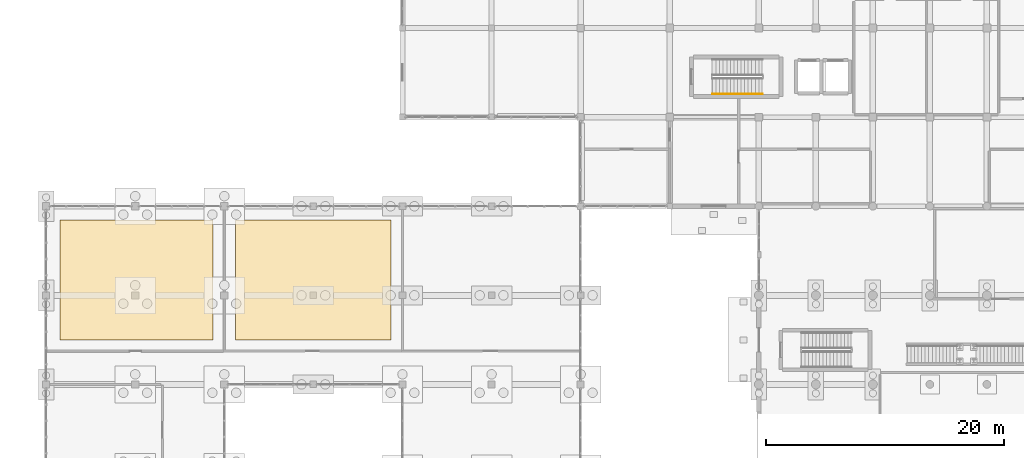
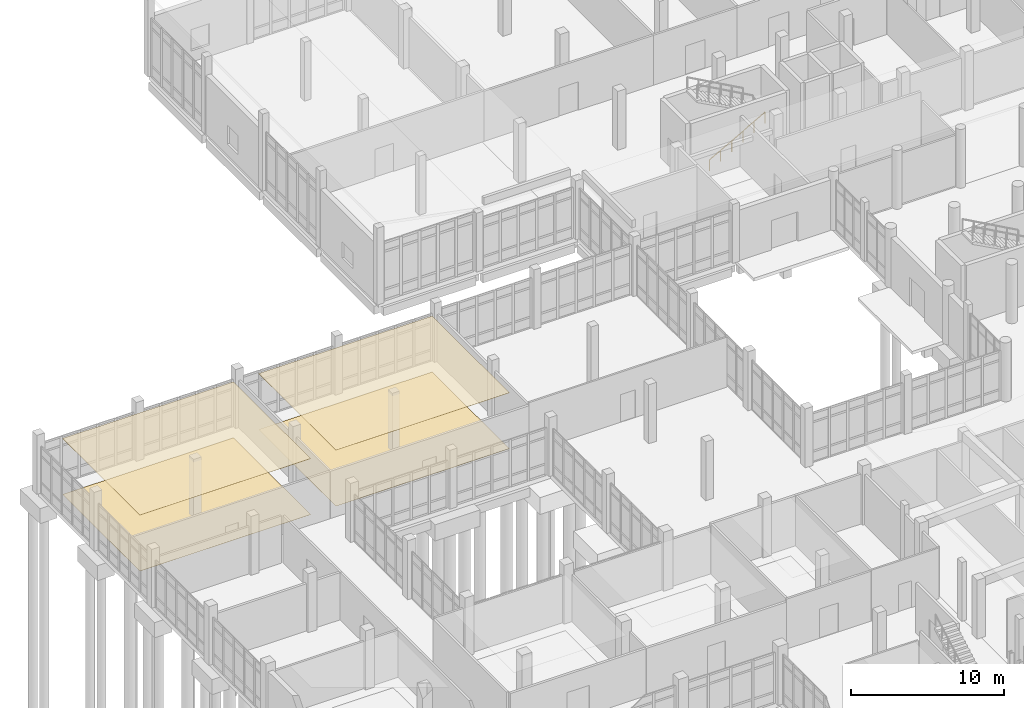
# One storey, part 168 of 173: 4 coverings, 1 railing.
"""IFC4 building model written with IfcOpenShell, lengths in metres."""

from ifc_helpers import new_model, si_unit, direction, frame, origin, origin_2d, place, context, subcontext, project, spatial, polyline, circle, outline, extrude, material, layer, layer_set, type_object, element, save


model = new_model("IFC4")

# Units and contexts
model_context = context("Model", 3, precision=1e-05, world=origin(), true_north=direction((0.0, 1.0)))
body_context = subcontext(model_context, "Body", "Model", "MODEL_VIEW")
ifc_project = project(units=[si_unit("LENGTHUNIT", "METRE"), si_unit("AREAUNIT", "SQUARE_METRE"), si_unit("VOLUMEUNIT", "CUBIC_METRE"), si_unit("PLANEANGLEUNIT", "RADIAN"), si_unit("MASSUNIT", "GRAM", prefix="KILO")], contexts=[model_context])

# Site, building, storey
site_placement = place(None, origin())
site = spatial("IfcSite", under=ifc_project, at=site_placement, CompositionType="ELEMENT")
building_placement = place(site_placement, origin())
building = spatial("IfcBuilding", under=site, at=building_placement, Name="Mawjan Specialist Oncology Clinic", CompositionType="ELEMENT")
storey_placement = place(building_placement, origin())
storey = spatial("IfcBuildingStorey", under=building, at=storey_placement, Name="L00", CompositionType="ELEMENT", Elevation=0.0)

# Coverings
ifc_material_1 = material(Name="Hygienic antimicrobial acoustic mineral ceiling tile", Category="gypsum")
ifc_layer_1 = layer(ifc_material_1, 0.02001953125, Name="Hygienic antimicrobial acoustic mineral ceiling tile", Category="gypsum")
ifc_layer_set_1 = layer_set([ifc_layer_1], Name="Hygienic antimicrobial acoustic mineral ceiling tile")
covering_type_1 = type_object("IfcCoveringType", Name="CLG-AC20", PredefinedType="CEILING", material=ifc_layer_set_1)
covering_1_placement = place(storey_placement, frame((0.0, 0.0, 4.455078125)))
element("IfcCovering", 1, at=covering_1_placement, inside=storey, type_object=covering_type_1, Name="L00 Breast Oncology Outpatient Clinic Acoustic Ceiling", PredefinedType="CEILING", context=body_context, shape_type="SweptSolid", body=[
    extrude(outline(polyline([(1.14990234375, 74.64990234375), (14.050048828125, 74.64990234375), (14.050048828125, 64.550048828125), (1.14990234375, 64.550048828125), (1.14990234375, 74.64990234375)])), origin(), (0.0, 0.0, 1.0), 0.02001953125),
])
covering_2_placement = place(storey_placement, frame((0.0, 0.0, 4.455078125)))
element("IfcCovering", 2, at=covering_2_placement, inside=storey, type_object=covering_type_1, Name="L00 Head and Neck Oncology Suite Acoustic Ceiling", PredefinedType="CEILING", context=body_context, shape_type="SweptSolid", body=[
    extrude(outline(polyline([(15.949951171875, 74.64990234375), (29.050048828125, 74.64990234375), (29.050048828125, 64.550048828125), (15.949951171875, 64.550048828125), (15.949951171875, 74.64990234375)])), origin(), (0.0, 0.0, 1.0), 0.02001953125),
])
ifc_material_2 = material(Name="Seamless clinical anti-static homogeneous vinyl flooring", Category="plastic")
ifc_layer_2 = layer(ifc_material_2, 0.008056640625, Name="Seamless clinical anti-static homogeneous vinyl flooring", Category="plastic")
ifc_layer_set_2 = layer_set([ifc_layer_2], Name="Seamless clinical anti-static homogeneous vinyl flooring")
covering_type_2 = type_object("IfcCoveringType", Name="FLR-VN08", PredefinedType="FLOORING", material=ifc_layer_set_2)
covering_3_placement = place(storey_placement, origin())
element("IfcCovering", 3, at=covering_3_placement, inside=storey, type_object=covering_type_2, Name="L00 Breast Oncology Outpatient Clinic Clinical Vinyl Flooring", PredefinedType="FLOORING", context=body_context, shape_type="SweptSolid", body=[
    extrude(outline(polyline([(1.14990234375, 74.64990234375), (14.050048828125, 74.64990234375), (14.050048828125, 64.550048828125), (1.14990234375, 64.550048828125), (1.14990234375, 74.64990234375)])), origin(), (0.0, 0.0, 1.0), 0.008056640625),
])
covering_4_placement = place(storey_placement, origin())
element("IfcCovering", 4, at=covering_4_placement, inside=storey, type_object=covering_type_2, Name="L00 Head and Neck Oncology Suite Clinical Vinyl Flooring", PredefinedType="FLOORING", context=body_context, shape_type="SweptSolid", body=[
    extrude(outline(polyline([(15.949951171875, 74.64990234375), (29.050048828125, 74.64990234375), (29.050048828125, 64.550048828125), (15.949951171875, 64.550048828125), (15.949951171875, 74.64990234375)])), origin(), (0.0, 0.0, 1.0), 0.008056640625),
])

# Railing
ifc_material_3 = material(Name="Brushed stainless-steel tubular handrail", Category="steel")
railing_type = type_object("IfcRailingType", Name="HR-090", PredefinedType="HANDRAIL", material=ifc_material_3)
railing_placement = place(storey_placement, frame((56.10009765625, 85.25, 0.166748046875)))
element("IfcRailing", 5, at=railing_placement, inside=storey, type_object=railing_type, Name="L00 ST-03 stair handrail 1", PredefinedType="HANDRAIL", context=body_context, shape_type="SweptSolid", body=[
    extrude(circle(Radius=0.02392578125, at=origin_2d()), frame((0.0, 0.0, 0.8759765625), z_axis=(0.874162069901, 0.0, 0.485634302275), x_axis=(0.0, 1.0, 0.0)), (0.0, 0.0, 1.0), 4.804443359375),
    extrude(circle(Radius=0.02099609375, at=origin_2d()), origin(), (0.0, 0.0, 1.0), 0.851806640625),
    extrude(circle(Radius=0.02099609375, at=origin_2d()), frame((0.840087890625, 0.0, 0.466552734375)), (0.0, 0.0, 1.0), 0.851806640625),
    extrude(circle(Radius=0.02099609375, at=origin_2d()), frame((1.679931640625, 0.0, 0.933349609375)), (0.0, 0.0, 1.0), 0.851806640625),
    extrude(circle(Radius=0.02099609375, at=origin_2d()), frame((2.52001953125, 0.0, 1.39990234375)), (0.0, 0.0, 1.0), 0.851806640625),
    extrude(circle(Radius=0.02099609375, at=origin_2d()), frame((3.35986328125, 0.0, 1.86669921875)), (0.0, 0.0, 1.0), 0.851806640625),
    extrude(circle(Radius=0.02099609375, at=origin_2d()), frame((4.199951171875, 0.0, 2.333251953125)), (0.0, 0.0, 1.0), 0.851806640625),
])

save(model, "model.ifc")
